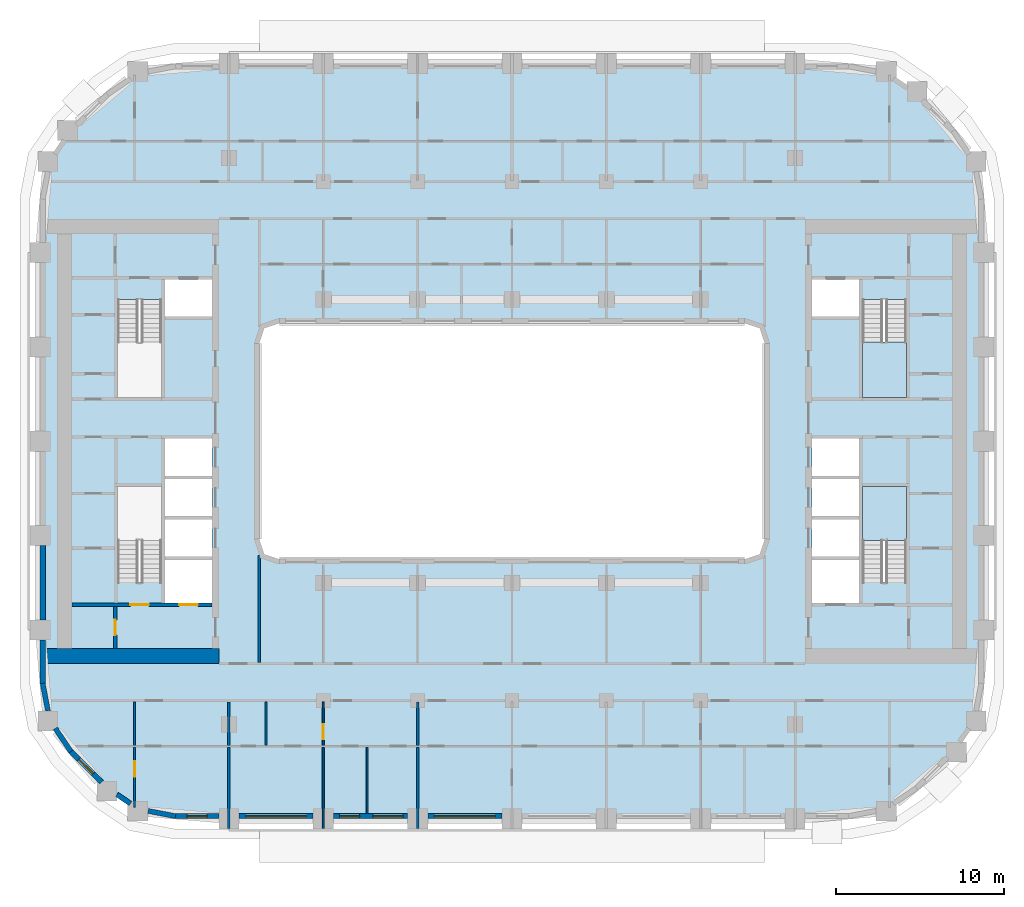
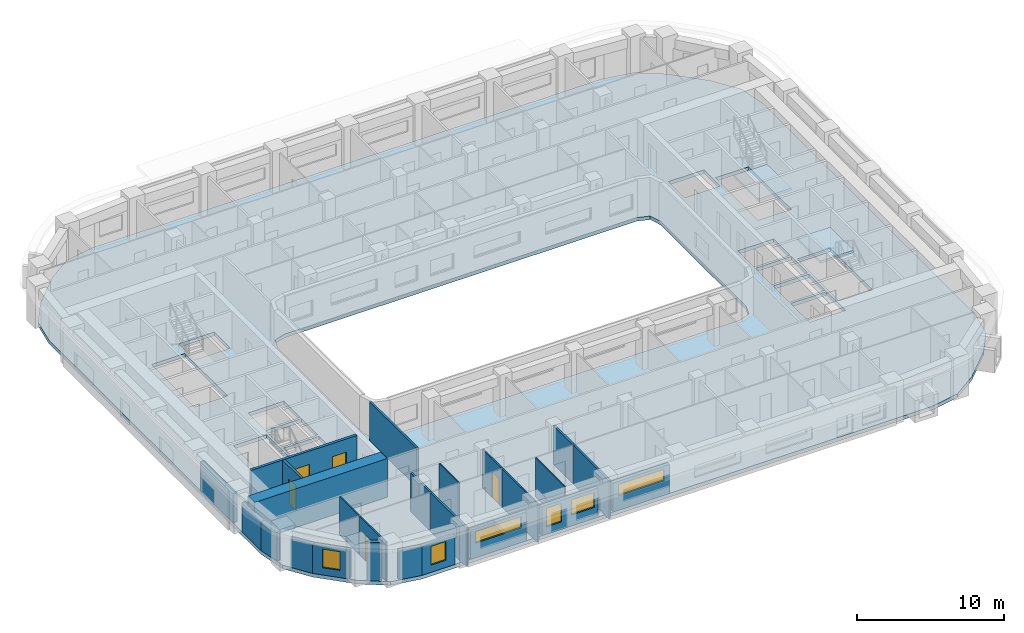
# One storey, part 2 of 22: 25 walls, 6 windows, 5 doors, 3 slabs, 11 openings, 2 elements without a shape of their own.
"""IFC4 building model written with IfcOpenShell, lengths in metres."""

from ifc_helpers import new_model, si_unit, direction, frame, frame_2d, origin, place, context, subcontext, project, spatial, polyline, rectangle, outline, extrude, material, layer, layer_set, type_object, element, fill, aggregate, save


model = new_model("IFC4")

# Units and contexts
model_context = context("Model", 3, precision=1e-05, world=origin(), true_north=direction((0.0, 1.0)))
body_context = subcontext(model_context, "Body", "Model", "MODEL_VIEW")
ifc_project = project(units=[si_unit("LENGTHUNIT", "METRE"), si_unit("AREAUNIT", "SQUARE_METRE"), si_unit("VOLUMEUNIT", "CUBIC_METRE"), si_unit("PLANEANGLEUNIT", "RADIAN"), si_unit("MASSUNIT", "GRAM", prefix="KILO")], contexts=[model_context])

# Site, building, storey
site_placement = place(None, origin())
site = spatial("IfcSite", under=ifc_project, at=site_placement, CompositionType="ELEMENT")
building_placement = place(site_placement, origin())
building = spatial("IfcBuilding", under=site, at=building_placement, Name="Kiln Ring Residences", CompositionType="ELEMENT")
storey_placement = place(building_placement, frame((0.0, 0.0, 111.300048828125)))
storey = spatial("IfcBuildingStorey", under=building, at=storey_placement, Name="L28", CompositionType="ELEMENT", Elevation=111.300048828125)

# Stair, slab
ifc_material_1 = material(Name="Concrete C40/50", Category="concrete")
stair_type = type_object("IfcStairType", Name="CORE-STAIR", PredefinedType="HALF_TURN_STAIR", material=ifc_material_1)
placement_1 = place(storey_placement, origin())
stair_1 = element("IfcStair", 1, at=placement_1, inside=storey, type_object=stair_type, Name="L28 stair E-STN", PredefinedType="HALF_TURN_STAIR")
ifc_material_2 = material(Name="Concrete C40/50", Category="concrete")
ifc_layer_1 = layer(ifc_material_2, 0.199951171875)
ifc_layer_set_1 = layer_set([ifc_layer_1], Name="CORE-STAIR-LANDING")
slab_type_1 = type_object("IfcSlabType", Name="CORE-STAIR-LANDING", PredefinedType="LANDING", material=ifc_layer_set_1)
placement_2 = place(storey_placement, frame((0.0, 0.0, 1.550048828125)))
slab_1 = element("IfcSlab", 2, at=placement_2, type_object=slab_type_1, Name="E-STN landing 1", PredefinedType="LANDING", context=body_context, shape_type="SweptSolid", body=[
    extrude(outline(polyline([(20.800048828125, 5.8798828125), (20.800048828125, 2.60009765625), (23.39990234375, 2.60009765625), (23.39990234375, 5.8798828125), (20.800048828125, 5.8798828125)])), origin(), (0.0, 0.0, 1.0), 0.199951171875),
])
aggregate(stair_1, [slab_1])

stair_2 = element("IfcStair", 3, at=placement_1, inside=storey, type_object=stair_type, Name="L28 stair E-STS", PredefinedType="HALF_TURN_STAIR")
slab_2 = element("IfcSlab", 4, at=placement_2, type_object=slab_type_1, Name="E-STS landing 1", PredefinedType="LANDING", context=body_context, shape_type="SweptSolid", body=[
    extrude(outline(polyline([(23.39990234375, -5.8798828125), (23.39990234375, -2.699951171875), (20.800048828125, -2.699951171875), (20.800048828125, -5.8798828125), (23.39990234375, -5.8798828125)])), origin(), (0.0, 0.0, 1.0), 0.199951171875),
])
aggregate(stair_2, [slab_2])

# Slab
ifc_material_3 = material(Name="Concrete C40/50", Category="concrete")
ifc_layer_2 = layer(ifc_material_3, 0.300048828125)
ifc_layer_set_2 = layer_set([ifc_layer_2], Name="Floor slab 300")
slab_type_2 = type_object("IfcSlabType", Name="Floor slab 300", PredefinedType="FLOOR", material=ifc_layer_set_2)
slab_3_placement = place(storey_placement, frame((0.0, 0.0, -0.300048828125)))
element("IfcSlab", 5, at=slab_3_placement, inside=storey, type_object=slab_type_2, Name="Floor slab L28 1", PredefinedType="FLOOR", context=body_context, shape_type="SweptSolid", body=[
    extrude(outline(polyline([(-26.302978515625, -18.4970703125), (-24.09716796875, -20.702880859375), (-22.224365234375, -21.975830078125), (-20.0, -22.39990234375), (20.0, -22.39990234375), (22.224365234375, -21.975830078125), (24.09716796875, -20.702880859375), (26.302978515625, -18.4970703125), (27.57568359375, -16.624267578125), (28.0, -14.39990234375), (28.0, 14.39990234375), (27.57568359375, 16.624267578125), (26.302978515625, 18.4970703125), (24.09716796875, 20.702880859375), (22.224365234375, 21.975830078125), (20.0, 22.39990234375), (-20.0, 22.39990234375), (-22.224365234375, 21.975830078125), (-24.09716796875, 20.702880859375), (-26.302978515625, 18.4970703125), (-27.57568359375, 16.624267578125), (-28.0, 14.39990234375), (-28.0, -14.39990234375), (-27.57568359375, -16.624267578125), (-26.302978515625, -18.4970703125)]), holes=[polyline([(-14.699951171875, -6.699951171875), (-15.0, -5.800048828125), (-15.0, 5.800048828125), (-14.699951171875, 6.699951171875), (-13.800048828125, 7.0), (13.800048828125, 7.0), (14.699951171875, 6.699951171875), (15.0, 5.800048828125), (15.0, -5.800048828125), (14.699951171875, -6.699951171875), (13.800048828125, -7.0), (-13.800048828125, -7.0), (-14.699951171875, -6.699951171875)]), polyline([(20.800048828125, -8.39794921875), (20.800048828125, -2.699951171875), (23.39990234375, -2.699951171875), (23.39990234375, -8.39794921875), (20.800048828125, -8.39794921875)]), polyline([(20.800048828125, 2.60009765625), (20.800048828125, 8.39794921875), (23.39990234375, 8.39794921875), (23.39990234375, 2.60009765625), (20.800048828125, 2.60009765625)]), polyline([(17.800048828125, -6.85009765625), (17.800048828125, -4.64990234375), (20.60009765625, -4.64990234375), (20.60009765625, -6.85009765625), (17.800048828125, -6.85009765625)]), polyline([(17.800048828125, -4.449951171875), (17.800048828125, -2.25), (20.60009765625, -2.25), (20.60009765625, -4.449951171875), (17.800048828125, -4.449951171875)]), polyline([(17.800048828125, -2.050048828125), (17.800048828125, 0.14990234375), (20.60009765625, 0.14990234375), (20.60009765625, -2.050048828125), (17.800048828125, -2.050048828125)]), polyline([(17.800048828125, 7.39990234375), (17.800048828125, 9.60009765625), (20.60009765625, 9.60009765625), (20.60009765625, 7.39990234375), (17.800048828125, 7.39990234375)]), polyline([(20.60009765625, -9.60009765625), (17.800048828125, -9.60009765625), (17.800048828125, -7.050048828125), (20.60009765625, -7.050048828125), (20.60009765625, -9.60009765625)]), polyline([(-17.800048828125, -7.050048828125), (-17.800048828125, -9.60009765625), (-20.60009765625, -9.60009765625), (-20.60009765625, -7.050048828125), (-17.800048828125, -7.050048828125)]), polyline([(-17.800048828125, -6.85009765625), (-20.60009765625, -6.85009765625), (-20.60009765625, -4.64990234375), (-17.800048828125, -4.64990234375), (-17.800048828125, -6.85009765625)]), polyline([(-17.800048828125, -4.449951171875), (-20.60009765625, -4.449951171875), (-20.60009765625, -2.25), (-17.800048828125, -2.25), (-17.800048828125, -4.449951171875)]), polyline([(-17.800048828125, -2.050048828125), (-20.60009765625, -2.050048828125), (-20.60009765625, 0.14990234375), (-17.800048828125, 0.14990234375), (-17.800048828125, -2.050048828125)]), polyline([(-17.800048828125, 7.39990234375), (-20.60009765625, 7.39990234375), (-20.60009765625, 9.60009765625), (-17.800048828125, 9.60009765625), (-17.800048828125, 7.39990234375)]), polyline([(-20.800048828125, -8.39794921875), (-23.39990234375, -8.39794921875), (-23.39990234375, -2.699951171875), (-20.800048828125, -2.699951171875), (-20.800048828125, -8.39794921875)]), polyline([(-20.800048828125, 2.60009765625), (-23.39990234375, 2.60009765625), (-23.39990234375, 8.39794921875), (-20.800048828125, 8.39794921875), (-20.800048828125, 2.60009765625)])]), origin(), (0.0, 0.0, 1.0), 0.300048828125),
])

# Wall, opening, door
ifc_material_4 = material(Name="Gypsum board on steel studs", Category="steel")
ifc_layer_3 = layer(ifc_material_4, 0.199951171875)
ifc_layer_set_3 = layer_set([ifc_layer_3], Name="CORE-PARTITION-200")
wall_type_1 = type_object("IfcWallType", Name="CORE-PARTITION-200", PredefinedType="PARTITIONING", material=ifc_layer_set_3)
wall_1_placement = place(storey_placement, frame((-23.550048828125, -12.300048828125, 0.0), z_axis=(0.0, 0.0, 1.0), x_axis=(0.0, 1.0, 0.0)))
wall_1 = element("IfcWall", 6, at=wall_1_placement, inside=storey, type_object=wall_type_1, Name="Core partition west L28 4", PredefinedType="PARTITIONING", context=body_context, shape_type="SweptSolid", body=[
    extrude(rectangle(XDim=2.5, YDim=0.199951171875, at=frame_2d((1.25, 0.0))), origin(), (0.0, 0.0, 1.0), 3.199951171875),
])
opening_1_placement = place(wall_1_placement, frame((0.800048828125, 0.0, 0.0)))
opening_1 = element("IfcOpeningElement", 7, at=opening_1_placement, cuts=wall_1, Name="Opening L28-CW10", PredefinedType="OPENING", context=body_context, shape_type="SweptSolid", body=[
    extrude(rectangle(XDim=0.89990234375, YDim=2.10009765625, at=frame_2d((0.449951171875, 1.050048828125))), frame((0.0, 0.10986328125, 0.0), z_axis=(0.0, -1.0, 0.0), x_axis=(1.0, 0.0, 0.0)), (0.0, 0.0, 1.0), 0.219970703125),
])
ifc_material_5 = material(Name="Steel door leaf", Category="steel")
door_type_1 = type_object("IfcDoorType", Name="CORE-DOOR-ROOM", OperationType="SINGLE_SWING_LEFT", PredefinedType="DOOR", material=ifc_material_5)
door_1_placement = place(opening_1_placement, origin())
door_1 = element("IfcDoor", 8, at=door_1_placement, inside=storey, type_object=door_type_1, Name="Store L28-CW10", OperationType="SINGLE_SWING_RIGHT", OverallHeight=2.10009765625, OverallWidth=0.89990234375, PredefinedType="DOOR", context=body_context, shape_type="SweptSolid", body=[
    extrude(rectangle(XDim=0.89990234375, YDim=2.10009765625, at=frame_2d((0.449951171875, 1.050048828125))), frame((0.0, 0.02490234375, 0.0), z_axis=(0.0, -1.0, 0.0), x_axis=(1.0, 0.0, 0.0)), (0.0, 0.0, 1.0), 0.050048828125),
])
fill(opening_1, door_1)

# Wall, openings, doors
ifc_material_6 = material(Name="Concrete C40/50", Category="concrete")
ifc_layer_4 = layer(ifc_material_6, 0.199951171875)
ifc_layer_set_4 = layer_set([ifc_layer_4], Name="CORE-WALL-RC200")
wall_type_2 = type_object("IfcWallType", Name="CORE-WALL-RC200", PredefinedType="SHEAR", material=ifc_layer_set_4)
wall_2_placement = place(storey_placement, frame((-17.800048828125, -9.699951171875, 0.0), z_axis=(0.0, 0.0, 1.0), x_axis=(-1.0, 0.0, 0.0)))
wall_2 = element("IfcWall", 9, at=wall_2_placement, inside=storey, type_object=wall_type_2, Name="Core wall west L28 8", PredefinedType="SHEAR", context=body_context, shape_type="SweptSolid", body=[
    extrude(rectangle(XDim=8.300048828125, YDim=0.199951171875, at=frame_2d((4.14990234375, 0.0))), origin(), (0.0, 0.0, 1.0), 3.199951171875),
])
opening_2_placement = place(wall_2_placement, frame((0.85009765625, 0.0, 0.0)))
opening_2 = element("IfcOpeningElement", 10, at=opening_2_placement, cuts=wall_2, Name="Opening L28-CW01", PredefinedType="OPENING", context=body_context, shape_type="SweptSolid", body=[
    extrude(rectangle(XDim=1.10009765625, YDim=2.10009765625, at=frame_2d((0.550048828125, 1.050048828125))), frame((0.0, 0.10986328125, 0.0), z_axis=(0.0, -1.0, 0.0), x_axis=(1.0, 0.0, 0.0)), (0.0, 0.0, 1.0), 0.219970703125),
])
opening_3_placement = place(wall_2_placement, frame((3.75, 0.0, 0.0)))
opening_3 = element("IfcOpeningElement", 11, at=opening_3_placement, cuts=wall_2, Name="Opening L28-CW12", PredefinedType="OPENING", context=body_context, shape_type="SweptSolid", body=[
    extrude(rectangle(XDim=1.10009765625, YDim=2.10009765625, at=frame_2d((0.550048828125, 1.050048828125))), frame((0.0, 0.10986328125, 0.0), z_axis=(0.0, -1.0, 0.0), x_axis=(1.0, 0.0, 0.0)), (0.0, 0.0, 1.0), 0.219970703125),
])
ifc_material_7 = material(Name="Steel door leaf", Category="steel")
door_type_2 = type_object("IfcDoorType", Name="CORE-DOOR-LD", OperationType="DOUBLE_DOOR_SLIDING", PredefinedType="DOOR", material=ifc_material_7)
door_2_placement = place(opening_2_placement, origin())
door_2 = element("IfcDoor", 12, at=door_2_placement, inside=storey, type_object=door_type_2, Name="LD W-SV L28-CW01", OperationType="DOUBLE_DOOR_SLIDING", OverallHeight=2.10009765625, OverallWidth=1.10009765625, PredefinedType="DOOR", context=body_context, shape_type="SweptSolid", body=[
    extrude(rectangle(XDim=1.10009765625, YDim=2.10009765625, at=frame_2d((0.550048828125, 1.050048828125))), frame((0.0, 0.02490234375, 0.0), z_axis=(0.0, -1.0, 0.0), x_axis=(1.0, 0.0, 0.0)), (0.0, 0.0, 1.0), 0.050048828125),
])
fill(opening_2, door_2)
ifc_material_8 = material(Name="Steel door leaf", Category="steel")
door_type_3 = type_object("IfcDoorType", Name="CORE-DOOR-STAIR", OperationType="SINGLE_SWING_LEFT", PredefinedType="DOOR", material=ifc_material_8)
door_3_placement = place(opening_3_placement, origin())
door_3 = element("IfcDoor", 13, at=door_3_placement, inside=storey, type_object=door_type_3, Name="Stair W-STS L28-CW12", OperationType="SINGLE_SWING_LEFT", OverallHeight=2.10009765625, OverallWidth=1.10009765625, PredefinedType="DOOR", context=body_context, shape_type="SweptSolid", body=[
    extrude(rectangle(XDim=1.10009765625, YDim=2.10009765625, at=frame_2d((0.550048828125, 1.050048828125))), frame((0.0, 0.02490234375, 0.0), z_axis=(0.0, -1.0, 0.0), x_axis=(1.0, 0.0, 0.0)), (0.0, 0.0, 1.0), 0.050048828125),
])
fill(opening_3, door_3)

# Wall
ifc_material_9 = material(Name="Concrete C60/75", Category="concrete")
ifc_layer_5 = layer(ifc_material_9, 0.89990234375)
ifc_layer_set_5 = layer_set([ifc_layer_5], Name="CORE-WALL-RC900")
wall_type_3 = type_object("IfcWallType", Name="CORE-WALL-RC900", PredefinedType="SHEAR", material=ifc_layer_set_5)
wall_3_placement = place(storey_placement, frame((-17.39990234375, -12.75, 0.0), z_axis=(0.0, 0.0, 1.0), x_axis=(-1.0, 0.0, 0.0)))
element("IfcWall", 14, at=wall_3_placement, inside=storey, type_object=wall_type_3, Name="Core wall west L28 5", PredefinedType="SHEAR", context=body_context, shape_type="SweptSolid", body=[
    extrude(rectangle(XDim=10.400146484375, YDim=0.89990234375, at=frame_2d((5.2001953125, 0.0))), origin(), (0.0, 0.0, 1.0), 3.199951171875),
])

# Wall, opening, window
ifc_material_10 = material(Name="Brick masonry, dark clay brick", Category="masonry")
ifc_layer_6 = layer(ifc_material_10, 0.300048828125)
ifc_layer_set_6 = layer_set([ifc_layer_6], Name="EW-300 BRICK WALL")
wall_type_4 = type_object("IfcWallType", Name="EW-300 BRICK WALL", PredefinedType="SOLIDWALL", material=ifc_layer_set_6)
wall_4_placement = place(storey_placement, frame((-26.19677734375, -18.390869140625, 0.0), z_axis=(0.0, 0.0, 1.0), x_axis=(0.707059830104, -0.707153729152, 0.0)))
wall_4 = element("IfcWall", 15, at=wall_4_placement, inside=storey, type_object=wall_type_4, Name="Facade wall L28 1", PredefinedType="SOLIDWALL", context=body_context, shape_type="SweptSolid", body=[
    extrude(rectangle(XDim=2.60009765625, YDim=0.300048828125, at=frame_2d((1.300048828125, 0.0))), origin(), (0.0, 0.0, 1.0), 2.39990234375),
])
opening_4_placement = place(wall_4_placement, frame((0.699951171875, 0.0, 0.60009765625)))
opening_4 = element("IfcOpeningElement", 16, at=opening_4_placement, cuts=wall_4, Name="Opening W1", PredefinedType="OPENING", context=body_context, shape_type="SweptSolid", body=[
    extrude(rectangle(XDim=1.199951171875, YDim=1.550048828125, at=frame_2d((0.60009765625, 0.77490234375))), frame((0.0, 0.159912109375, 0.0), z_axis=(0.0, -1.0, 0.0), x_axis=(1.0, 0.0, 0.0)), (0.0, 0.0, 1.0), 0.320068359375),
])
ifc_material_11 = material(Name="Aluminium frame with double glazing", Category="aluminium")
window_type_1 = type_object("IfcWindowType", Name="WINDOW 1200 x 1550", PartitioningType="SINGLE_PANEL", PredefinedType="WINDOW", material=ifc_material_11)
window_1_placement = place(opening_4_placement, origin())
window_1 = element("IfcWindow", 17, at=window_1_placement, inside=storey, type_object=window_type_1, Name="Window L28 1", OverallHeight=1.550048828125, OverallWidth=1.199951171875, PartitioningType="SINGLE_PANEL", PredefinedType="WINDOW", context=body_context, shape_type="SweptSolid", body=[
    extrude(rectangle(XDim=1.199951171875, YDim=1.550048828125, at=frame_2d((0.60009765625, 0.77490234375))), frame((0.0, 0.030029296875, 0.0), z_axis=(0.0, -1.0, 0.0), x_axis=(1.0, 0.0, 0.0)), (0.0, 0.0, 1.0), 0.06005859375),
])
fill(opening_4, window_1)

# Walls
wall_5_placement = place(storey_placement, frame((-23.451171875, -20.96044921875, 0.0), z_axis=(0.0, 0.0, 1.0), x_axis=(0.827019434577, -0.562173331661, 0.0)))
element("IfcWall", 18, at=wall_5_placement, inside=storey, type_object=wall_type_4, Name="Facade wall L28 2", PredefinedType="SOLIDWALL", context=body_context, shape_type="SweptSolid", body=[
    extrude(rectangle(XDim=0.97705078125, YDim=0.300048828125, at=frame_2d((0.488525390625, 0.0))), origin(), (0.0, 0.0, 1.0), 3.199951171875),
])
wall_6_placement = place(storey_placement, frame((-21.5986328125, -21.9423828125, 0.0), z_axis=(0.0, 0.0, 1.0), x_axis=(0.98228820662, -0.187376303559, 0.0)))
element("IfcWall", 19, at=wall_6_placement, inside=storey, type_object=wall_type_4, Name="Facade wall L28 3", PredefinedType="SOLIDWALL", context=body_context, shape_type="SweptSolid", body=[
    extrude(rectangle(XDim=1.656005859375, YDim=0.300048828125, at=frame_2d((0.828125, 0.0))), origin(), (0.0, 0.0, 1.0), 2.39990234375),
])

# Wall, opening, window
wall_7_placement = place(storey_placement, frame((-20.0, -22.25, 0.0), z_axis=(0.0, 0.0, 1.0), x_axis=(1.0, 0.0, 0.0)))
wall_7 = element("IfcWall", 20, at=wall_7_placement, inside=storey, type_object=wall_type_4, Name="Facade wall L28 4", PredefinedType="SOLIDWALL", context=body_context, shape_type="SweptSolid", body=[
    extrude(rectangle(XDim=2.60009765625, YDim=0.300048828125, at=frame_2d((1.300048828125, 0.0))), origin(), (0.0, 0.0, 1.0), 2.39990234375),
])
opening_5_placement = place(wall_7_placement, frame((0.699951171875, 0.0, 0.60009765625)))
opening_5 = element("IfcOpeningElement", 21, at=opening_5_placement, cuts=wall_7, Name="Opening W1", PredefinedType="OPENING", context=body_context, shape_type="SweptSolid", body=[
    extrude(rectangle(XDim=1.199951171875, YDim=1.550048828125, at=frame_2d((0.60009765625, 0.77490234375))), frame((0.0, 0.159912109375, 0.0), z_axis=(0.0, -1.0, 0.0), x_axis=(1.0, 0.0, 0.0)), (0.0, 0.0, 1.0), 0.320068359375),
])
window_2_placement = place(opening_5_placement, origin())
window_2 = element("IfcWindow", 22, at=window_2_placement, inside=storey, type_object=window_type_1, Name="Window L28 2", OverallHeight=1.550048828125, OverallWidth=1.199951171875, PartitioningType="SINGLE_PANEL", PredefinedType="WINDOW", context=body_context, shape_type="SweptSolid", body=[
    extrude(rectangle(XDim=1.199951171875, YDim=1.550048828125, at=frame_2d((0.60009765625, 0.77490234375))), frame((0.0, 0.030029296875, 0.0), z_axis=(0.0, -1.0, 0.0), x_axis=(1.0, 0.0, 0.0)), (0.0, 0.0, 1.0), 0.06005859375),
])
fill(opening_5, window_2)

wall_8_placement = place(storey_placement, frame((-16.199951171875, -22.25, 0.0), z_axis=(0.0, 0.0, 1.0), x_axis=(1.0, 0.0, 0.0)))
wall_8 = element("IfcWall", 23, at=wall_8_placement, inside=storey, type_object=wall_type_4, Name="Facade wall L28 5", PredefinedType="SOLIDWALL", context=body_context, shape_type="SweptSolid", body=[
    extrude(rectangle(XDim=4.39990234375, YDim=0.300048828125, at=frame_2d((2.199951171875, 0.0))), origin(), (0.0, 0.0, 1.0), 2.39990234375),
])
opening_6_placement = place(wall_8_placement, frame((0.39990234375, 0.0, 1.199951171875)))
opening_6 = element("IfcOpeningElement", 24, at=opening_6_placement, cuts=wall_8, Name="Opening W4", PredefinedType="OPENING", context=body_context, shape_type="SweptSolid", body=[
    extrude(rectangle(XDim=3.60009765625, YDim=0.949951171875, at=frame_2d((1.800048828125, 0.47509765625))), frame((0.0, 0.159912109375, 0.0), z_axis=(0.0, -1.0, 0.0), x_axis=(1.0, 0.0, 0.0)), (0.0, 0.0, 1.0), 0.320068359375),
])
ifc_material_12 = material(Name="Aluminium frame with double glazing", Category="aluminium")
window_type_2 = type_object("IfcWindowType", Name="WINDOW 3600 x 950", PartitioningType="SINGLE_PANEL", PredefinedType="WINDOW", material=ifc_material_12)
window_3_placement = place(opening_6_placement, origin())
window_3 = element("IfcWindow", 25, at=window_3_placement, inside=storey, type_object=window_type_2, Name="Window L28 3", OverallHeight=0.949951171875, OverallWidth=3.60009765625, PartitioningType="SINGLE_PANEL", PredefinedType="WINDOW", context=body_context, shape_type="SweptSolid", body=[
    extrude(rectangle(XDim=3.60009765625, YDim=0.949951171875, at=frame_2d((1.800048828125, 0.47509765625))), frame((0.0, 0.030029296875, 0.0), z_axis=(0.0, -1.0, 0.0), x_axis=(1.0, 0.0, 0.0)), (0.0, 0.0, 1.0), 0.06005859375),
])
fill(opening_6, window_3)

# Wall, openings, windows
wall_9_placement = place(storey_placement, frame((-10.60009765625, -22.25, 0.0), z_axis=(0.0, 0.0, 1.0), x_axis=(1.0, 0.0, 0.0)))
wall_9 = element("IfcWall", 26, at=wall_9_placement, inside=storey, type_object=wall_type_4, Name="Facade wall L28 6", PredefinedType="SOLIDWALL", context=body_context, shape_type="SweptSolid", body=[
    extrude(rectangle(XDim=4.400146484375, YDim=0.300048828125, at=frame_2d((2.2001953125, 0.0))), origin(), (0.0, 0.0, 1.0), 2.39990234375),
])
opening_7_placement = place(wall_9_placement, frame((0.362548828125, 0.0, 0.60009765625)))
opening_7 = element("IfcOpeningElement", 27, at=opening_7_placement, cuts=wall_9, Name="Opening W1", PredefinedType="OPENING", context=body_context, shape_type="SweptSolid", body=[
    extrude(rectangle(XDim=1.199951171875, YDim=1.550048828125, at=frame_2d((0.60009765625, 0.77490234375))), frame((0.0, 0.159912109375, 0.0), z_axis=(0.0, -1.0, 0.0), x_axis=(1.0, 0.0, 0.0)), (0.0, 0.0, 1.0), 0.320068359375),
])
opening_8_placement = place(wall_9_placement, frame((2.33740234375, 0.0, 0.89990234375)))
opening_8 = element("IfcOpeningElement", 28, at=opening_8_placement, cuts=wall_9, Name="Opening W2", PredefinedType="OPENING", context=body_context, shape_type="SweptSolid", body=[
    extrude(rectangle(XDim=1.800048828125, YDim=1.25, at=frame_2d((0.89990234375, 0.625))), frame((0.0, 0.159912109375, 0.0), z_axis=(0.0, -1.0, 0.0), x_axis=(1.0, 0.0, 0.0)), (0.0, 0.0, 1.0), 0.320068359375),
])
window_4_placement = place(opening_7_placement, origin())
window_4 = element("IfcWindow", 29, at=window_4_placement, inside=storey, type_object=window_type_1, Name="Window L28 4", OverallHeight=1.550048828125, OverallWidth=1.199951171875, PartitioningType="SINGLE_PANEL", PredefinedType="WINDOW", context=body_context, shape_type="SweptSolid", body=[
    extrude(rectangle(XDim=1.199951171875, YDim=1.550048828125, at=frame_2d((0.60009765625, 0.77490234375))), frame((0.0, 0.030029296875, 0.0), z_axis=(0.0, -1.0, 0.0), x_axis=(1.0, 0.0, 0.0)), (0.0, 0.0, 1.0), 0.06005859375),
])
fill(opening_7, window_4)
ifc_material_13 = material(Name="Aluminium frame with double glazing", Category="aluminium")
window_type_3 = type_object("IfcWindowType", Name="WINDOW 1800 x 1250", PartitioningType="SINGLE_PANEL", PredefinedType="WINDOW", material=ifc_material_13)
window_5_placement = place(opening_8_placement, origin())
window_5 = element("IfcWindow", 30, at=window_5_placement, inside=storey, type_object=window_type_3, Name="Window L28 5", OverallHeight=1.25, OverallWidth=1.800048828125, PartitioningType="SINGLE_PANEL", PredefinedType="WINDOW", context=body_context, shape_type="SweptSolid", body=[
    extrude(rectangle(XDim=1.800048828125, YDim=1.25, at=frame_2d((0.89990234375, 0.625))), frame((0.0, 0.030029296875, 0.0), z_axis=(0.0, -1.0, 0.0), x_axis=(1.0, 0.0, 0.0)), (0.0, 0.0, 1.0), 0.06005859375),
])
fill(opening_8, window_5)

# Wall, opening, window
wall_10_placement = place(storey_placement, frame((-5.0, -22.25, 0.0), z_axis=(0.0, 0.0, 1.0), x_axis=(1.0, 0.0, 0.0)))
wall_10 = element("IfcWall", 31, at=wall_10_placement, inside=storey, type_object=wall_type_4, Name="Facade wall L28 7", PredefinedType="SOLIDWALL", context=body_context, shape_type="SweptSolid", body=[
    extrude(rectangle(XDim=4.39990234375, YDim=0.300048828125, at=frame_2d((2.199951171875, 0.0))), origin(), (0.0, 0.0, 1.0), 2.39990234375),
])
opening_9_placement = place(wall_10_placement, frame((0.39990234375, 0.0, 1.199951171875)))
opening_9 = element("IfcOpeningElement", 32, at=opening_9_placement, cuts=wall_10, Name="Opening W4", PredefinedType="OPENING", context=body_context, shape_type="SweptSolid", body=[
    extrude(rectangle(XDim=3.60009765625, YDim=0.949951171875, at=frame_2d((1.800048828125, 0.47509765625))), frame((0.0, 0.159912109375, 0.0), z_axis=(0.0, -1.0, 0.0), x_axis=(1.0, 0.0, 0.0)), (0.0, 0.0, 1.0), 0.320068359375),
])
window_6_placement = place(opening_9_placement, origin())
window_6 = element("IfcWindow", 33, at=window_6_placement, inside=storey, type_object=window_type_2, Name="Window L28 6", OverallHeight=0.949951171875, OverallWidth=3.60009765625, PartitioningType="SINGLE_PANEL", PredefinedType="WINDOW", context=body_context, shape_type="SweptSolid", body=[
    extrude(rectangle(XDim=3.60009765625, YDim=0.949951171875, at=frame_2d((1.800048828125, 0.47509765625))), frame((0.0, 0.030029296875, 0.0), z_axis=(0.0, -1.0, 0.0), x_axis=(1.0, 0.0, 0.0)), (0.0, 0.0, 1.0), 0.06005859375),
])
fill(opening_9, window_6)

# Walls
wall_11_placement = place(storey_placement, frame((-27.85009765625, -6.199951171875, 0.0), z_axis=(0.0, 0.0, 1.0), x_axis=(0.0, -1.0, 0.0)))
element("IfcWall", 34, at=wall_11_placement, inside=storey, type_object=wall_type_4, Name="Facade wall L28 45", PredefinedType="SOLIDWALL", context=body_context, shape_type="SweptSolid", body=[
    extrude(rectangle(XDim=4.400146484375, YDim=0.300048828125, at=frame_2d((2.2001953125, 0.0))), origin(), (0.0, 0.0, 1.0), 2.39990234375),
])
wall_12_placement = place(storey_placement, frame((-27.85009765625, -11.800048828125, 0.0), z_axis=(0.0, 0.0, 1.0), x_axis=(0.0, -1.0, 0.0)))
element("IfcWall", 35, at=wall_12_placement, inside=storey, type_object=wall_type_4, Name="Facade wall L28 46", PredefinedType="SOLIDWALL", context=body_context, shape_type="SweptSolid", body=[
    extrude(rectangle(XDim=2.599853515625, YDim=0.300048828125, at=frame_2d((1.2998046875, 0.0))), origin(), (0.0, 0.0, 1.0), 2.39990234375),
])
for number, where, z_axis, x_axis, name in (
    (36, (-27.8525390625, -14.371826171875, 0.0), (0.0, 0.0, 1.0), (0.187349172861, -0.982293381546, 0.0), "Facade wall L28 47"),
    (37, (-27.10986328125, -17.04296875, 0.0), (0.0, 0.0, 1.0), (0.562060017944, -0.82709644917, 0.0), "Facade wall L28 48"),
):
    element("IfcWall", number, at=place(storey_placement, frame(where, z_axis=z_axis, x_axis=x_axis)), inside=storey, type_object=wall_type_4, Name=name, PredefinedType="SOLIDWALL", context=body_context, shape_type="SweptSolid", body=[
        extrude(rectangle(XDim=1.65625, YDim=0.300048828125, at=frame_2d((0.828125, 0.0))), origin(), (0.0, 0.0, 1.0), 2.39990234375),
    ])

# Wall, opening, door
ifc_material_14 = material(Name="Gypsum board on steel studs", Category="steel")
ifc_layer_7 = layer(ifc_material_14, 0.10009765625)
ifc_layer_set_7 = layer_set([ifc_layer_7], Name="PARTITION-100")
wall_type_5 = type_object("IfcWallType", Name="PARTITION-100", PredefinedType="PARTITIONING", material=ifc_layer_set_7)
wall_13_placement = place(storey_placement, frame((-22.39990234375, -21.719970703125, 0.0), z_axis=(0.0, 0.0, 1.0), x_axis=(0.0, 1.0, 0.0)))
wall_13 = element("IfcWall", 38, at=wall_13_placement, inside=storey, type_object=wall_type_5, Name="Partition 007", PredefinedType="PARTITIONING", context=body_context, shape_type="SweptSolid", body=[
    extrude(rectangle(XDim=3.570068359375, YDim=0.10009765625, at=frame_2d((1.78515625, 0.0))), origin(), (0.0, 0.0, 1.0), 3.199951171875),
])
opening_10_placement = place(wall_13_placement, frame((1.820068359375, 0.0, 0.0)))
opening_10 = element("IfcOpeningElement", 39, at=opening_10_placement, cuts=wall_13, Name="Opening L28-D052", PredefinedType="OPENING", context=body_context, shape_type="SweptSolid", body=[
    extrude(rectangle(XDim=0.89990234375, YDim=2.10009765625, at=frame_2d((0.449951171875, 1.050048828125))), frame((0.0, 0.06005859375, 0.0), z_axis=(0.0, -1.0, 0.0), x_axis=(1.0, 0.0, 0.0)), (0.0, 0.0, 1.0), 0.1201171875),
])
ifc_material_15 = material(Name="Timber door leaf", Category="wood")
door_type_4 = type_object("IfcDoorType", Name="FLAT-DOOR-900-PL", OperationType="SINGLE_SWING_LEFT", PredefinedType="DOOR", material=ifc_material_15)
door_4_placement = place(opening_10_placement, origin())
door_4 = element("IfcDoor", 40, at=door_4_placement, inside=storey, type_object=door_type_4, Name="Door L28-D052", OperationType="SINGLE_SWING_LEFT", OverallHeight=2.10009765625, OverallWidth=0.89990234375, PredefinedType="DOOR", context=body_context, shape_type="SweptSolid", body=[
    extrude(rectangle(XDim=0.89990234375, YDim=2.10009765625, at=frame_2d((0.449951171875, 1.050048828125))), frame((0.0, 0.02490234375, 0.0), z_axis=(0.0, -1.0, 0.0), x_axis=(1.0, 0.0, 0.0)), (0.0, 0.0, 1.0), 0.050048828125),
])
fill(opening_10, door_4)

# Walls
for number, where, z_axis, x_axis, name in (
    (41, (-22.39990234375, -18.050048828125, 0.0), (0.0, 0.0, 1.0), (0.0, 1.0, 0.0), "Partition 008"),
    (42, (-14.60009765625, -18.050048828125, 0.0), (0.0, 0.0, 1.0), (0.0, 1.0, 0.0), "Partition 018"),
):
    element("IfcWall", number, at=place(storey_placement, frame(where, z_axis=z_axis, x_axis=x_axis)), inside=storey, type_object=wall_type_5, Name=name, PredefinedType="PARTITIONING", context=body_context, shape_type="SweptSolid", body=[
        extrude(rectangle(XDim=2.574951171875, YDim=0.10009765625, at=frame_2d((1.28759765625, 0.0))), origin(), (0.0, 0.0, 1.0), 3.199951171875),
    ])
wall_14_placement = place(storey_placement, frame((-11.199951171875, -22.97998046875, 0.0), z_axis=(0.0, 0.0, 1.0), x_axis=(0.0, 1.0, 0.0)))
element("IfcWall", 43, at=wall_14_placement, inside=storey, type_object=wall_type_5, Name="Partition 019", PredefinedType="PARTITIONING", context=body_context, shape_type="SweptSolid", body=[
    extrude(rectangle(XDim=4.830078125, YDim=0.10009765625, at=frame_2d((2.4150390625, 0.0))), origin(), (0.0, 0.0, 1.0), 3.199951171875),
])

# Wall, opening, door
wall_15_placement = place(storey_placement, frame((-11.199951171875, -18.050048828125, 0.0), z_axis=(0.0, 0.0, 1.0), x_axis=(0.0, 1.0, 0.0)))
wall_15 = element("IfcWall", 44, at=wall_15_placement, inside=storey, type_object=wall_type_5, Name="Partition 020", PredefinedType="PARTITIONING", context=body_context, shape_type="SweptSolid", body=[
    extrude(rectangle(XDim=2.574951171875, YDim=0.10009765625, at=frame_2d((1.28759765625, 0.0))), origin(), (0.0, 0.0, 1.0), 3.199951171875),
])
opening_11_placement = place(wall_15_placement, frame((0.34912109375, 0.0, 0.0)))
opening_11 = element("IfcOpeningElement", 45, at=opening_11_placement, cuts=wall_15, Name="Opening L28-D054", PredefinedType="OPENING", context=body_context, shape_type="SweptSolid", body=[
    extrude(rectangle(XDim=0.89990234375, YDim=2.10009765625, at=frame_2d((0.449951171875, 1.050048828125))), frame((0.0, 0.06005859375, 0.0), z_axis=(0.0, -1.0, 0.0), x_axis=(1.0, 0.0, 0.0)), (0.0, 0.0, 1.0), 0.1201171875),
])
door_5_placement = place(opening_11_placement, origin())
door_5 = element("IfcDoor", 46, at=door_5_placement, inside=storey, type_object=door_type_4, Name="Door L28-D054", OperationType="SINGLE_SWING_RIGHT", OverallHeight=2.10009765625, OverallWidth=0.89990234375, PredefinedType="DOOR", context=body_context, shape_type="SweptSolid", body=[
    extrude(rectangle(XDim=0.89990234375, YDim=2.10009765625, at=frame_2d((0.449951171875, 1.050048828125))), frame((0.0, 0.02490234375, 0.0), z_axis=(0.0, -1.0, 0.0), x_axis=(1.0, 0.0, 0.0)), (0.0, 0.0, 1.0), 0.050048828125),
])
fill(opening_11, door_5)

# Walls
wall_16_placement = place(storey_placement, frame((-8.60009765625, -22.080078125, 0.0), z_axis=(0.0, 0.0, 1.0), x_axis=(0.0, 1.0, 0.0)))
element("IfcWall", 47, at=wall_16_placement, inside=storey, type_object=wall_type_5, Name="Partition 026", PredefinedType="PARTITIONING", context=body_context, shape_type="SweptSolid", body=[
    extrude(rectangle(XDim=3.93017578125, YDim=0.10009765625, at=frame_2d((1.965087890625, 0.0))), origin(), (0.0, 0.0, 1.0), 3.199951171875),
])
ifc_material_16 = material(Name="Brick masonry partition", Category="masonry")
ifc_layer_8 = layer(ifc_material_16, 0.14990234375)
ifc_layer_set_8 = layer_set([ifc_layer_8], Name="PARTITION-150-ei60")
wall_type_6 = type_object("IfcWallType", Name="PARTITION-150-ei60", PredefinedType="PARTITIONING", material=ifc_layer_set_8)
wall_17_placement = place(storey_placement, frame((-16.800048828125, -22.97998046875, 0.0), z_axis=(0.0, 0.0, 1.0), x_axis=(0.0, 1.0, 0.0)))
element("IfcWall", 48, at=wall_17_placement, inside=storey, type_object=wall_type_6, Name="Partition 011", PredefinedType="PARTITIONING", context=body_context, shape_type="SweptSolid", body=[
    extrude(rectangle(XDim=4.830078125, YDim=0.14990234375, at=frame_2d((2.4150390625, 0.0))), origin(), (0.0, 0.0, 1.0), 3.199951171875),
])
wall_18_placement = place(storey_placement, frame((-16.800048828125, -18.050048828125, 0.0), z_axis=(0.0, 0.0, 1.0), x_axis=(0.0, 1.0, 0.0)))
element("IfcWall", 49, at=wall_18_placement, inside=storey, type_object=wall_type_6, Name="Partition 012", PredefinedType="PARTITIONING", context=body_context, shape_type="SweptSolid", body=[
    extrude(rectangle(XDim=2.574951171875, YDim=0.14990234375, at=frame_2d((1.28759765625, 0.0))), origin(), (0.0, 0.0, 1.0), 3.199951171875),
])
wall_19_placement = place(storey_placement, frame((-15.0, -13.125, 0.0), z_axis=(0.0, 0.0, 1.0), x_axis=(0.0, 1.0, 0.0)))
element("IfcWall", 50, at=wall_19_placement, inside=storey, type_object=wall_type_6, Name="Partition 015", PredefinedType="PARTITIONING", context=body_context, shape_type="SweptSolid", body=[
    extrude(rectangle(XDim=6.356201171875, YDim=0.14990234375, at=frame_2d((3.17822265625, 0.0))), origin(), (0.0, 0.0, 1.0), 3.199951171875),
])
wall_20_placement = place(storey_placement, frame((-5.60009765625, -22.97998046875, 0.0), z_axis=(0.0, 0.0, 1.0), x_axis=(0.0, 1.0, 0.0)))
element("IfcWall", 51, at=wall_20_placement, inside=storey, type_object=wall_type_6, Name="Partition 030", PredefinedType="PARTITIONING", context=body_context, shape_type="SweptSolid", body=[
    extrude(rectangle(XDim=4.830078125, YDim=0.14990234375, at=frame_2d((2.4150390625, 0.0))), origin(), (0.0, 0.0, 1.0), 3.199951171875),
])
wall_21_placement = place(storey_placement, frame((-5.60009765625, -18.050048828125, 0.0), z_axis=(0.0, 0.0, 1.0), x_axis=(0.0, 1.0, 0.0)))
element("IfcWall", 52, at=wall_21_placement, inside=storey, type_object=wall_type_6, Name="Partition 031", PredefinedType="PARTITIONING", context=body_context, shape_type="SweptSolid", body=[
    extrude(rectangle(XDim=2.574951171875, YDim=0.14990234375, at=frame_2d((1.28759765625, 0.0))), origin(), (0.0, 0.0, 1.0), 3.199951171875),
])

save(model, "model.ifc")
